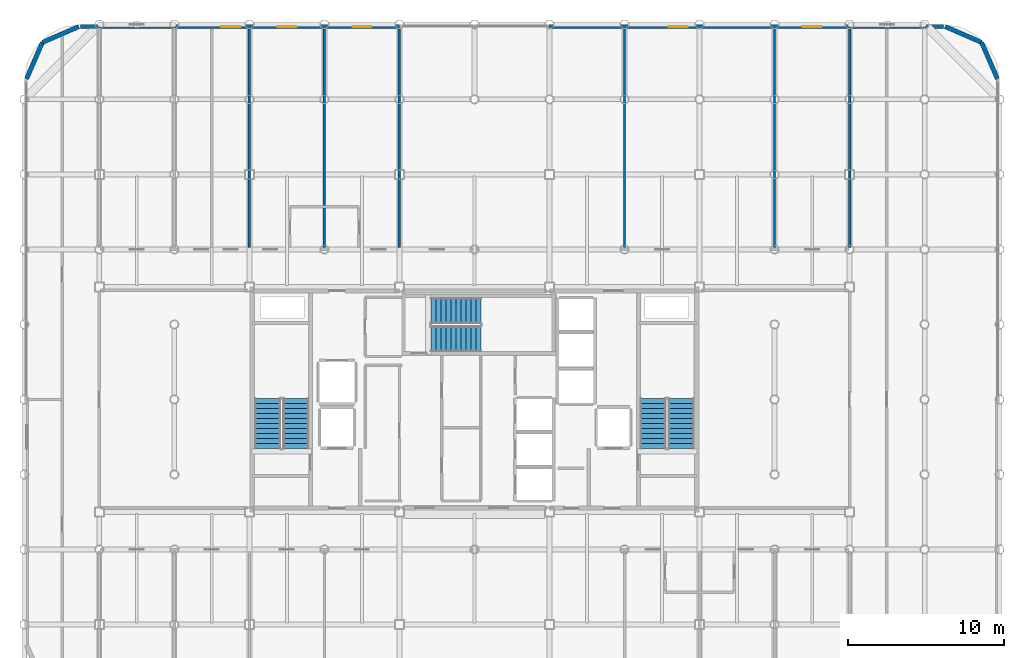
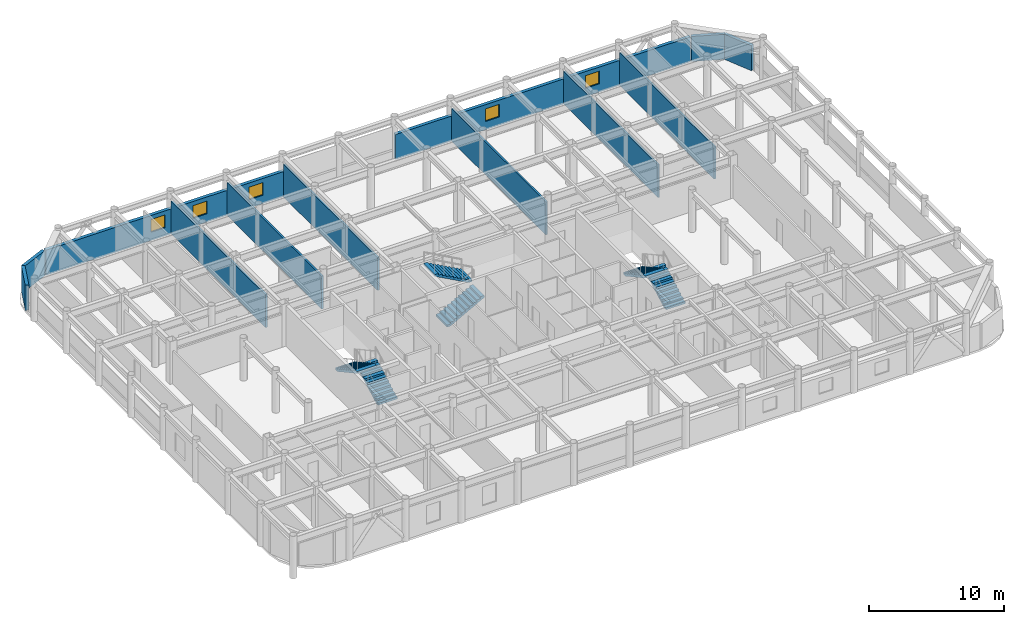
# One storey, part 21 of 22: 12 walls, 6 stair flights, 5 windows, 5 openings, 3 elements without a shape of their own.
"""IFC4 building model written with IfcOpenShell, lengths in metres."""

from ifc_helpers import new_model, si_unit, direction, frame, frame_2d, origin, place, context, subcontext, project, spatial, polyline, rectangle, outline, extrude, material, layer, layer_set, type_object, element, fill, aggregate, save


model = new_model("IFC4")

# Units and contexts
model_context = context("Model", 3, precision=1e-05, world=origin(), true_north=direction((0.0, 1.0)))
body_context = subcontext(model_context, "Body", "Model", "MODEL_VIEW")
ifc_project = project(units=[si_unit("LENGTHUNIT", "METRE"), si_unit("AREAUNIT", "SQUARE_METRE"), si_unit("VOLUMEUNIT", "CUBIC_METRE"), si_unit("PLANEANGLEUNIT", "RADIAN"), si_unit("MASSUNIT", "GRAM", prefix="KILO")], contexts=[model_context])

# Site, building, storey
site_placement = place(None, origin())
site = spatial("IfcSite", under=ifc_project, at=site_placement, CompositionType="ELEMENT")
building_placement = place(site_placement, origin())
building = spatial("IfcBuilding", under=site, at=building_placement, Name="Kallvorn Hotel Tower", CompositionType="ELEMENT")
storey_placement = place(building_placement, frame((0.0, 0.0, 226.14990234375)))
storey = spatial("IfcBuildingStorey", under=building, at=storey_placement, Name="L56", CompositionType="ELEMENT", Elevation=226.14990234375)

# Walls
ifc_material_1 = material(Name="Fire-rated double-layer acoustic gypsum drywall EI 60")
ifc_layer_1 = layer(ifc_material_1, 0.159912109375)
ifc_layer_set_1 = layer_set([ifc_layer_1], Name="WL_DEMISE_160")
wall_type_1 = type_object("IfcWallType", Name="WL_DEMISE_160", PredefinedType="PARTITIONING", material=ifc_layer_set_1)
for number, where, z_axis, x_axis, name in (
    (1, (-14.39990234375, 9.719970703125, 0.0), (0.0, 0.0, 1.0), (0.0, 1.0, 0.0), "L56 Suite 5603 Standard Twin Room Partition"),
    (2, (-9.60009765625, 9.719970703125, 0.0), (0.0, 0.0, 1.0), (0.0, 1.0, 0.0), "L56 Suite 5603 Standard Twin Room Partition"),
    (3, (-4.800048828125, 9.719970703125, 0.0), (0.0, 0.0, 1.0), (0.0, 1.0, 0.0), "L56 Suite 5604 Standard Twin Room Partition"),
):
    element("IfcWall", number, at=place(storey_placement, frame(where, z_axis=z_axis, x_axis=x_axis)), inside=storey, type_object=wall_type_1, Name=name, PredefinedType="PARTITIONING", context=body_context, shape_type="SweptSolid", body=[
        extrude(rectangle(XDim=13.989990234375, YDim=0.159912109375, at=frame_2d((6.9951171875, 0.0))), origin(), (0.0, 0.0, 1.0), 2.97021484375),
    ])
ifc_material_2 = material(Name="Precast basalt-clad insulated concrete wall C40/50", Category="masonry")
ifc_layer_2 = layer(ifc_material_2, 0.280029296875)
ifc_layer_set_2 = layer_set([ifc_layer_2], Name="WL_EXT_LOGGIA_280")
wall_type_2 = type_object("IfcWallType", Name="WL_EXT_LOGGIA_280", PredefinedType="SOLIDWALL", material=ifc_layer_set_2)
wall_1_placement = place(storey_placement, frame((33.4580078125, 20.520751953125, 0.0), z_axis=(0.0, 0.0, 1.0), x_axis=(-0.398792985289, 0.917040977756, 0.0)))
element("IfcWall", 4, at=wall_1_placement, inside=storey, type_object=wall_type_2, Name="L56 Rounded Corner Exterior Wall NE1", PredefinedType="SOLIDWALL", context=body_context, shape_type="SweptSolid", body=[
    extrude(rectangle(XDim=2.536376953125, YDim=0.280029296875, at=frame_2d((1.26806640625, 0.0))), origin(), (0.0, 0.0, 1.0), 2.27001953125),
])
for number, where, z_axis, x_axis, name in (
    (5, (32.446533203125, 22.8466796875, 0.0), (0.0, 0.0, 1.0), (-0.917060872934, 0.398747232384, 0.0), "L56 Rounded Corner Exterior Wall NE2"),
    (6, (-25.32080078125, 23.85791015625, 0.0), (0.0, 0.0, 1.0), (-0.917060872934, -0.398747232384, 0.0), "L56 Rounded Corner Exterior Wall NW1"),
):
    element("IfcWall", number, at=place(storey_placement, frame(where, z_axis=z_axis, x_axis=x_axis)), inside=storey, type_object=wall_type_2, Name=name, PredefinedType="SOLIDWALL", context=body_context, shape_type="SweptSolid", body=[
        extrude(rectangle(XDim=2.5361328125, YDim=0.280029296875, at=frame_2d((1.26806640625, 0.0))), origin(), (0.0, 0.0, 1.0), 2.27001953125),
    ])
wall_2_placement = place(storey_placement, frame((-27.646484375, 22.8466796875, 0.0), z_axis=(0.0, 0.0, 1.0), x_axis=(-0.398792985289, -0.917040977756, 0.0)))
element("IfcWall", 7, at=wall_2_placement, inside=storey, type_object=wall_type_2, Name="L56 Rounded Corner Exterior Wall NW2", PredefinedType="SOLIDWALL", context=body_context, shape_type="SweptSolid", body=[
    extrude(rectangle(XDim=2.536376953125, YDim=0.280029296875, at=frame_2d((1.26806640625, 0.0))), origin(), (0.0, 0.0, 1.0), 2.27001953125),
])

# Wall, openings, windows
wall_3_placement = place(storey_placement, frame((-25.199951171875, 23.860107421875, 0.0), z_axis=(0.0, 0.0, 1.0), x_axis=(1.0, 0.0, 0.0)))
wall_3 = element("IfcWall", 8, at=wall_3_placement, inside=storey, type_object=wall_type_2, Name="L56 Exterior Envelope Wall EW-L56-NW", PredefinedType="SOLIDWALL", context=body_context, shape_type="SweptSolid", body=[
    extrude(rectangle(XDim=20.449951171875, YDim=0.280029296875, at=frame_2d((10.22509765625, 0.0))), origin(), (0.0, 0.0, 1.0), 2.27001953125),
])
opening_1_placement = place(wall_3_placement, frame((9.0, 0.0, 0.75)))
opening_1 = element("IfcOpeningElement", 9, at=opening_1_placement, cuts=wall_3, Name="Opening W06A", PredefinedType="OPENING", context=body_context, shape_type="SweptSolid", body=[
    extrude(rectangle(XDim=1.199951171875, YDim=1.14990234375, at=frame_2d((0.60009765625, 0.574951171875))), frame((0.0, 0.155029296875, 0.0), z_axis=(0.0, -1.0, 0.0), x_axis=(1.0, 0.0, 0.0)), (0.0, 0.0, 1.0), 0.31005859375),
])
opening_2_placement = place(wall_3_placement, frame((12.60009765625, 0.0, 0.75)))
opening_2 = element("IfcOpeningElement", 10, at=opening_2_placement, cuts=wall_3, Name="Opening W06A", PredefinedType="OPENING", context=body_context, shape_type="SweptSolid", body=[
    extrude(rectangle(XDim=1.199951171875, YDim=1.14990234375, at=frame_2d((0.60009765625, 0.574951171875))), frame((0.0, 0.155029296875, 0.0), z_axis=(0.0, -1.0, 0.0), x_axis=(1.0, 0.0, 0.0)), (0.0, 0.0, 1.0), 0.31005859375),
])
opening_3_placement = place(wall_3_placement, frame((17.39990234375, 0.0, 0.75)))
opening_3 = element("IfcOpeningElement", 11, at=opening_3_placement, cuts=wall_3, Name="Opening W06A", PredefinedType="OPENING", context=body_context, shape_type="SweptSolid", body=[
    extrude(rectangle(XDim=1.199951171875, YDim=1.14990234375, at=frame_2d((0.60009765625, 0.574951171875))), frame((0.0, 0.155029296875, 0.0), z_axis=(0.0, -1.0, 0.0), x_axis=(1.0, 0.0, 0.0)), (0.0, 0.0, 1.0), 0.31005859375),
])
ifc_material_3 = material(Name="Triple-glazed low-e acoustic solar-control dark glass", Category="glass")
window_type = type_object("IfcWindowType", Name="WN_HTL_1200x1150", PartitioningType="SINGLE_PANEL", PredefinedType="WINDOW", material=ifc_material_3)
window_1_placement = place(opening_1_placement, origin())
window_1 = element("IfcWindow", 12, at=window_1_placement, inside=storey, type_object=window_type, Name="L56 Guestroom Exterior Window 08", OverallHeight=1.14990234375, OverallWidth=1.199951171875, PartitioningType="SINGLE_PANEL", PredefinedType="WINDOW", context=body_context, shape_type="SweptSolid", body=[
    extrude(rectangle(XDim=1.199951171875, YDim=1.14990234375, at=frame_2d((0.60009765625, 0.574951171875))), frame((0.0, 0.030029296875, 0.0), z_axis=(0.0, -1.0, 0.0), x_axis=(1.0, 0.0, 0.0)), (0.0, 0.0, 1.0), 0.06005859375),
])
fill(opening_1, window_1)
window_2_placement = place(opening_2_placement, origin())
window_2 = element("IfcWindow", 13, at=window_2_placement, inside=storey, type_object=window_type, Name="L56 Guestroom Exterior Window 09", OverallHeight=1.14990234375, OverallWidth=1.199951171875, PartitioningType="SINGLE_PANEL", PredefinedType="WINDOW", context=body_context, shape_type="SweptSolid", body=[
    extrude(rectangle(XDim=1.199951171875, YDim=1.14990234375, at=frame_2d((0.60009765625, 0.574951171875))), frame((0.0, 0.030029296875, 0.0), z_axis=(0.0, -1.0, 0.0), x_axis=(1.0, 0.0, 0.0)), (0.0, 0.0, 1.0), 0.06005859375),
])
fill(opening_2, window_2)
window_3_placement = place(opening_3_placement, origin())
window_3 = element("IfcWindow", 14, at=window_3_placement, inside=storey, type_object=window_type, Name="L56 Guestroom Exterior Window 10", OverallHeight=1.14990234375, OverallWidth=1.199951171875, PartitioningType="SINGLE_PANEL", PredefinedType="WINDOW", context=body_context, shape_type="SweptSolid", body=[
    extrude(rectangle(XDim=1.199951171875, YDim=1.14990234375, at=frame_2d((0.60009765625, 0.574951171875))), frame((0.0, 0.030029296875, 0.0), z_axis=(0.0, -1.0, 0.0), x_axis=(1.0, 0.0, 0.0)), (0.0, 0.0, 1.0), 0.06005859375),
])
fill(opening_3, window_3)

wall_4_placement = place(storey_placement, frame((4.75, 23.860107421875, 0.0), z_axis=(0.0, 0.0, 1.0), x_axis=(1.0, 0.0, 0.0)))
wall_4 = element("IfcWall", 15, at=wall_4_placement, inside=storey, type_object=wall_type_2, Name="L56 Exterior Envelope Wall EW-L56-NE", PredefinedType="SOLIDWALL", context=body_context, shape_type="SweptSolid", body=[
    extrude(rectangle(XDim=25.25, YDim=0.280029296875, at=frame_2d((12.625, 0.0))), origin(), (0.0, 0.0, 1.0), 2.27001953125),
])
opening_4_placement = place(wall_4_placement, frame((16.25, 0.0, 0.75)))
opening_4 = element("IfcOpeningElement", 16, at=opening_4_placement, cuts=wall_4, Name="Opening W06A", PredefinedType="OPENING", context=body_context, shape_type="SweptSolid", body=[
    extrude(rectangle(XDim=1.199951171875, YDim=1.14990234375, at=frame_2d((0.60009765625, 0.574951171875))), frame((0.0, 0.155029296875, 0.0), z_axis=(0.0, -1.0, 0.0), x_axis=(1.0, 0.0, 0.0)), (0.0, 0.0, 1.0), 0.31005859375),
])
opening_5_placement = place(wall_4_placement, frame((7.68408203125, 0.0, 0.75)))
opening_5 = element("IfcOpeningElement", 17, at=opening_5_placement, cuts=wall_4, Name="Opening W06A", PredefinedType="OPENING", context=body_context, shape_type="SweptSolid", body=[
    extrude(rectangle(XDim=1.199951171875, YDim=1.14990234375, at=frame_2d((0.60009765625, 0.574951171875))), frame((0.0, 0.155029296875, 0.0), z_axis=(0.0, -1.0, 0.0), x_axis=(1.0, 0.0, 0.0)), (0.0, 0.0, 1.0), 0.31005859375),
])
window_4_placement = place(opening_4_placement, origin())
window_4 = element("IfcWindow", 18, at=window_4_placement, inside=storey, type_object=window_type, Name="L56 Guestroom Exterior Window 02", OverallHeight=1.14990234375, OverallWidth=1.199951171875, PartitioningType="SINGLE_PANEL", PredefinedType="WINDOW", context=body_context, shape_type="SweptSolid", body=[
    extrude(rectangle(XDim=1.199951171875, YDim=1.14990234375, at=frame_2d((0.60009765625, 0.574951171875))), frame((0.0, 0.030029296875, 0.0), z_axis=(0.0, -1.0, 0.0), x_axis=(1.0, 0.0, 0.0)), (0.0, 0.0, 1.0), 0.06005859375),
])
fill(opening_4, window_4)
window_5_placement = place(opening_5_placement, origin())
window_5 = element("IfcWindow", 19, at=window_5_placement, inside=storey, type_object=window_type, Name="L56 Guestroom Exterior Window 11", OverallHeight=1.14990234375, OverallWidth=1.199951171875, PartitioningType="SINGLE_PANEL", PredefinedType="WINDOW", context=body_context, shape_type="SweptSolid", body=[
    extrude(rectangle(XDim=1.199951171875, YDim=1.14990234375, at=frame_2d((0.60009765625, 0.574951171875))), frame((0.0, 0.030029296875, 0.0), z_axis=(0.0, -1.0, 0.0), x_axis=(1.0, 0.0, 0.0)), (0.0, 0.0, 1.0), 0.06005859375),
])
fill(opening_5, window_5)

# Walls
ifc_material_4 = material(Name="Fire-rated double-layer acoustic gypsum drywall EI 60")
ifc_layer_3 = layer(ifc_material_4, 0.14990234375)
ifc_layer_set_3 = layer_set([ifc_layer_3], Name="WL_PART_150")
wall_type_3 = type_object("IfcWallType", Name="WL_PART_150", PredefinedType="PARTITIONING", material=ifc_layer_set_3)
for number, where, z_axis, x_axis, name in (
    (20, (9.60009765625, 9.719970703125, 0.0), (0.0, 0.0, 1.0), (0.0, 1.0, 0.0), "L56 L56 Andean Tasting Sky Restaurant 5 Partition"),
    (21, (19.199951171875, 9.719970703125, 0.0), (0.0, 0.0, 1.0), (0.0, 1.0, 0.0), "L56 L56 Andean Tasting Sky Restaurant 5 Partition"),
    (22, (24.0, 9.719970703125, 0.0), (0.0, 0.0, 1.0), (0.0, 1.0, 0.0), "L56 L56 High-Zone North-East Pastry Bar Partition"),
):
    element("IfcWall", number, at=place(storey_placement, frame(where, z_axis=z_axis, x_axis=x_axis)), inside=storey, type_object=wall_type_3, Name=name, PredefinedType="PARTITIONING", context=body_context, shape_type="SweptSolid", body=[
        extrude(rectangle(XDim=13.989990234375, YDim=0.14990234375, at=frame_2d((6.9951171875, 0.0))), origin(), (0.0, 0.0, 1.0), 2.97021484375),
    ])

# Stair, stair flights
ifc_material_5 = material(Name="Precast concrete C40/50", Category="concrete")
stair_type = type_object("IfcStairType", Name="STR_CORE_DOGLEG", PredefinedType="HALF_TURN_STAIR", material=ifc_material_5)
stair_1_placement = place(storey_placement, origin())
stair_1 = element("IfcStair", 23, at=stair_1_placement, inside=storey, type_object=stair_type, Name="L56 Exit stair ST1", PredefinedType="HALF_TURN_STAIR")
ifc_material_6 = material(Name="Precast concrete C40/50", Category="concrete")
stair_flight_type = type_object("IfcStairFlightType", Name="FLT_CORE_1660", PredefinedType="STRAIGHT", material=ifc_material_6)
stair_flight_1_placement = place(storey_placement, frame((-11.429931640625, -3.139892578125, 0.0), z_axis=(0.0, 0.0, 1.0), x_axis=(0.0, 1.0, 0.0)))
stair_flight_1 = element("IfcStairFlight", 24, at=stair_flight_1_placement, type_object=stair_flight_type, Name="ST1 flight 1", NumberOfRisers=11, NumberOfTreads=10, PredefinedType="STRAIGHT", RiserHeight=0.175, TreadLength=0.32, context=body_context, shape_type="SweptSolid", body=[
    extrude(outline(polyline([(0.0, 0.0), (0.0, 0.175048828125), (0.320068359375, 0.175048828125), (0.320068359375, 0.35009765625), (0.639892578125, 0.35009765625), (0.639892578125, 0.52490234375), (0.9599609375, 0.52490234375), (0.9599609375, 0.699951171875), (1.280029296875, 0.699951171875), (1.280029296875, 0.875), (1.60009765625, 0.875), (1.60009765625, 1.050048828125), (1.919921875, 1.050048828125), (1.919921875, 1.22509765625), (2.239990234375, 1.22509765625), (2.239990234375, 1.39990234375), (2.56005859375, 1.39990234375), (2.56005859375, 1.574951171875), (2.8798828125, 1.574951171875), (2.8798828125, 1.75), (3.199951171875, 1.75), (3.199951171875, 1.925048828125), (3.199951171875, 1.5791015625), (0.3125, 0.0), (0.0, 0.0)])), frame((0.0, 0.830078125, 0.0), z_axis=(0.0, -1.0, 0.0), x_axis=(1.0, 0.0, 0.0)), (0.0, 0.0, 1.0), 1.659912109375),
])
stair_flight_2_placement = place(storey_placement, frame((-13.22998046875, 0.06005859375, 1.925048828125), z_axis=(0.0, 0.0, 1.0), x_axis=(0.0, -1.0, 0.0)))
stair_flight_2 = element("IfcStairFlight", 25, at=stair_flight_2_placement, type_object=stair_flight_type, Name="ST1 flight 2", NumberOfRisers=11, NumberOfTreads=10, PredefinedType="STRAIGHT", RiserHeight=0.175, TreadLength=0.32, context=body_context, shape_type="SweptSolid", body=[
    extrude(outline(polyline([(0.0, 0.0), (0.0, 0.175048828125), (0.320068359375, 0.175048828125), (0.320068359375, 0.35009765625), (0.639892578125, 0.35009765625), (0.639892578125, 0.52490234375), (0.9599609375, 0.52490234375), (0.9599609375, 0.699951171875), (1.280029296875, 0.699951171875), (1.280029296875, 0.875), (1.60009765625, 0.875), (1.60009765625, 1.050048828125), (1.919921875, 1.050048828125), (1.919921875, 1.22509765625), (2.239990234375, 1.22509765625), (2.239990234375, 1.39990234375), (2.56005859375, 1.39990234375), (2.56005859375, 1.574951171875), (2.8798828125, 1.574951171875), (2.8798828125, 1.75), (3.199951171875, 1.75), (3.199951171875, 1.925048828125), (3.199951171875, 1.5791015625), (0.3125, 0.0), (0.0, 0.0)])), frame((0.0, 0.830078125, 0.0), z_axis=(0.0, -1.0, 0.0), x_axis=(1.0, 0.0, 0.0)), (0.0, 0.0, 1.0), 1.659912109375),
])
aggregate(stair_1, [stair_flight_1, stair_flight_2])

stair_2_placement = place(storey_placement, origin())
stair_2 = element("IfcStair", 26, at=stair_2_placement, inside=storey, type_object=stair_type, Name="L56 Exit stair ST2", PredefinedType="HALF_TURN_STAIR")
stair_flight_3_placement = place(storey_placement, frame((13.22998046875, -3.139892578125, 0.0), z_axis=(0.0, 0.0, 1.0), x_axis=(0.0, 1.0, 0.0)))
stair_flight_3 = element("IfcStairFlight", 27, at=stair_flight_3_placement, type_object=stair_flight_type, Name="ST2 flight 1", NumberOfRisers=11, NumberOfTreads=10, PredefinedType="STRAIGHT", RiserHeight=0.175, TreadLength=0.32, context=body_context, shape_type="SweptSolid", body=[
    extrude(outline(polyline([(0.0, 0.0), (0.0, 0.175048828125), (0.320068359375, 0.175048828125), (0.320068359375, 0.35009765625), (0.639892578125, 0.35009765625), (0.639892578125, 0.52490234375), (0.9599609375, 0.52490234375), (0.9599609375, 0.699951171875), (1.280029296875, 0.699951171875), (1.280029296875, 0.875), (1.60009765625, 0.875), (1.60009765625, 1.050048828125), (1.919921875, 1.050048828125), (1.919921875, 1.22509765625), (2.239990234375, 1.22509765625), (2.239990234375, 1.39990234375), (2.56005859375, 1.39990234375), (2.56005859375, 1.574951171875), (2.8798828125, 1.574951171875), (2.8798828125, 1.75), (3.199951171875, 1.75), (3.199951171875, 1.925048828125), (3.199951171875, 1.5791015625), (0.3125, 0.0), (0.0, 0.0)])), frame((0.0, 0.830078125, 0.0), z_axis=(0.0, -1.0, 0.0), x_axis=(1.0, 0.0, 0.0)), (0.0, 0.0, 1.0), 1.659912109375),
])
stair_flight_4_placement = place(storey_placement, frame((11.429931640625, 0.06005859375, 1.925048828125), z_axis=(0.0, 0.0, 1.0), x_axis=(0.0, -1.0, 0.0)))
stair_flight_4 = element("IfcStairFlight", 28, at=stair_flight_4_placement, type_object=stair_flight_type, Name="ST2 flight 2", NumberOfRisers=11, NumberOfTreads=10, PredefinedType="STRAIGHT", RiserHeight=0.175, TreadLength=0.32, context=body_context, shape_type="SweptSolid", body=[
    extrude(outline(polyline([(0.0, 0.0), (0.0, 0.175048828125), (0.320068359375, 0.175048828125), (0.320068359375, 0.35009765625), (0.639892578125, 0.35009765625), (0.639892578125, 0.52490234375), (0.9599609375, 0.52490234375), (0.9599609375, 0.699951171875), (1.280029296875, 0.699951171875), (1.280029296875, 0.875), (1.60009765625, 0.875), (1.60009765625, 1.050048828125), (1.919921875, 1.050048828125), (1.919921875, 1.22509765625), (2.239990234375, 1.22509765625), (2.239990234375, 1.39990234375), (2.56005859375, 1.39990234375), (2.56005859375, 1.574951171875), (2.8798828125, 1.574951171875), (2.8798828125, 1.75), (3.199951171875, 1.75), (3.199951171875, 1.925048828125), (3.199951171875, 1.5791015625), (0.3125, 0.0), (0.0, 0.0)])), frame((0.0, 0.830078125, 0.0), z_axis=(0.0, -1.0, 0.0), x_axis=(1.0, 0.0, 0.0)), (0.0, 0.0, 1.0), 1.659912109375),
])
aggregate(stair_2, [stair_flight_3, stair_flight_4])

stair_3_placement = place(storey_placement, origin())
stair_3 = element("IfcStair", 29, at=stair_3_placement, inside=storey, type_object=stair_type, Name="L56 Exit stair ST3", PredefinedType="HALF_TURN_STAIR")
stair_flight_5_placement = place(storey_placement, frame((-2.7900390625, 3.8798828125, 0.0), z_axis=(0.0, 0.0, 1.0), x_axis=(1.0, 0.0, 0.0)))
stair_flight_5 = element("IfcStairFlight", 30, at=stair_flight_5_placement, type_object=stair_flight_type, Name="ST3 flight 1", NumberOfRisers=11, NumberOfTreads=10, PredefinedType="STRAIGHT", RiserHeight=0.175, TreadLength=0.32, context=body_context, shape_type="SweptSolid", body=[
    extrude(outline(polyline([(0.0, 0.0), (0.0, 0.175048828125), (0.320068359375, 0.175048828125), (0.320068359375, 0.35009765625), (0.639892578125, 0.35009765625), (0.639892578125, 0.52490234375), (0.9599609375, 0.52490234375), (0.9599609375, 0.699951171875), (1.280029296875, 0.699951171875), (1.280029296875, 0.875), (1.60009765625, 0.875), (1.60009765625, 1.050048828125), (1.919921875, 1.050048828125), (1.919921875, 1.22509765625), (2.239990234375, 1.22509765625), (2.239990234375, 1.39990234375), (2.56005859375, 1.39990234375), (2.56005859375, 1.574951171875), (2.8798828125, 1.574951171875), (2.8798828125, 1.75), (3.199951171875, 1.75), (3.199951171875, 1.925048828125), (3.199951171875, 1.5791015625), (0.3125, 0.0), (0.0, 0.0)])), frame((0.0, 0.830078125, 0.0), z_axis=(0.0, -1.0, 0.0), x_axis=(1.0, 0.0, 0.0)), (0.0, 0.0, 1.0), 1.659912109375),
])
stair_flight_6_placement = place(storey_placement, frame((0.409912109375, 5.679931640625, 1.925048828125), z_axis=(0.0, 0.0, 1.0), x_axis=(-1.0, 0.0, 0.0)))
stair_flight_6 = element("IfcStairFlight", 31, at=stair_flight_6_placement, type_object=stair_flight_type, Name="ST3 flight 2", NumberOfRisers=11, NumberOfTreads=10, PredefinedType="STRAIGHT", RiserHeight=0.175, TreadLength=0.32, context=body_context, shape_type="SweptSolid", body=[
    extrude(outline(polyline([(0.0, 0.0), (0.0, 0.175048828125), (0.320068359375, 0.175048828125), (0.320068359375, 0.35009765625), (0.639892578125, 0.35009765625), (0.639892578125, 0.52490234375), (0.9599609375, 0.52490234375), (0.9599609375, 0.699951171875), (1.280029296875, 0.699951171875), (1.280029296875, 0.875), (1.60009765625, 0.875), (1.60009765625, 1.050048828125), (1.919921875, 1.050048828125), (1.919921875, 1.22509765625), (2.239990234375, 1.22509765625), (2.239990234375, 1.39990234375), (2.56005859375, 1.39990234375), (2.56005859375, 1.574951171875), (2.8798828125, 1.574951171875), (2.8798828125, 1.75), (3.199951171875, 1.75), (3.199951171875, 1.925048828125), (3.199951171875, 1.5791015625), (0.3125, 0.0), (0.0, 0.0)])), frame((0.0, 0.830078125, 0.0), z_axis=(0.0, -1.0, 0.0), x_axis=(1.0, 0.0, 0.0)), (0.0, 0.0, 1.0), 1.659912109375),
])
aggregate(stair_3, [stair_flight_5, stair_flight_6])

save(model, "model.ifc")
